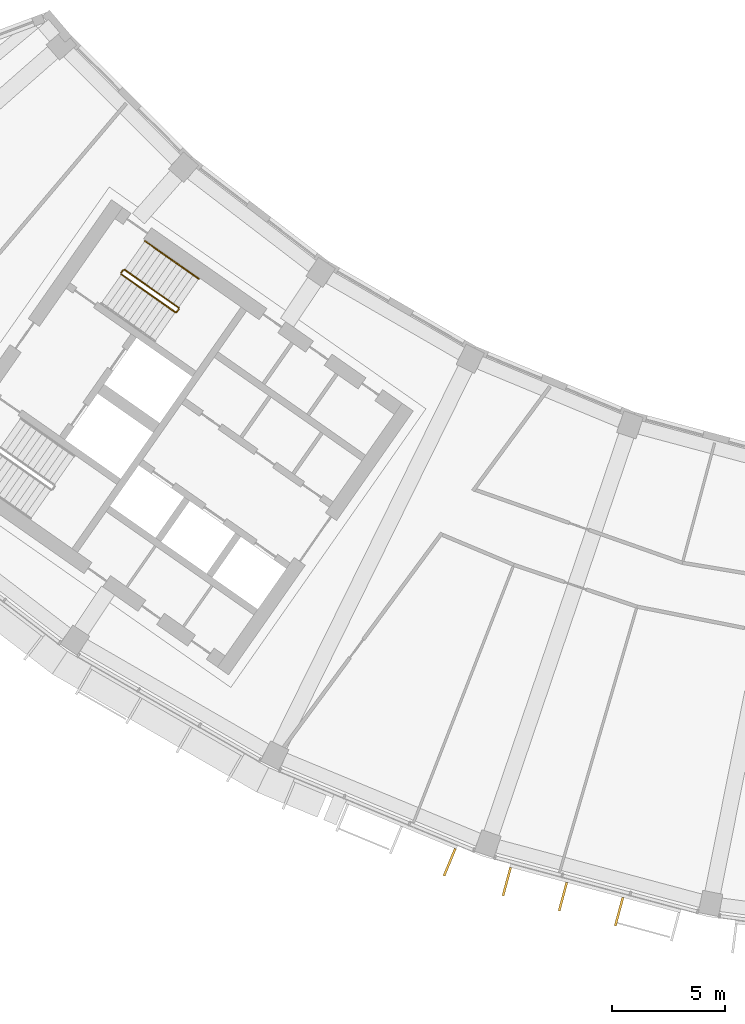
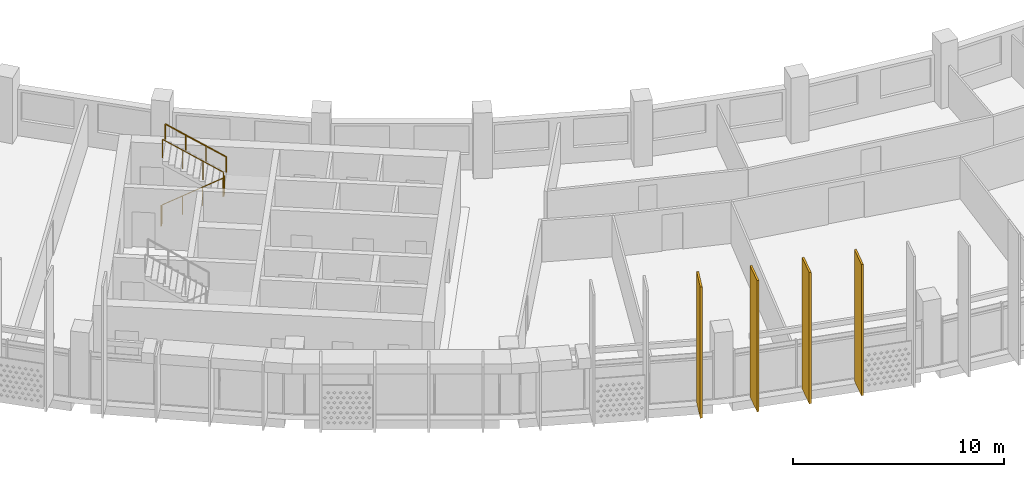
# One storey, part 24 of 28: 4 railings, 4 shading devices.
"""IFC4 building model written with IfcOpenShell, lengths in metres."""

import ifcopenshell
import ifcopenshell.guid

model = None  # the IFC model being written
_history = None  # IfcOwnerHistory: only IFC2X3 demands one
_inside = {}  # id of a spatial element -> (the spatial element, [elements in it])
_under = {}  # id of a project, library or spatial element -> (it, [spatial elements below it])
_declared = {}  # id of a project -> (the project, [libraries it declares])
_typed = {}  # id of a type object -> (the type object, [elements of that type])
_made_of = {}  # id of a material, layer set ... -> (it, [elements and type objects made of it])


def new_model(schema):
    """Start an empty IFC model of exactly this schema.

    Asked for "IFC4X3", IfcOpenShell would pick the latest addendum, in which some entities
    have other attributes; the version numbers below select the first issue.
    IFC2X3 requires an IfcOwnerHistory on every rooted entity: one is made here for all.
    """
    global model, _history
    if schema == "IFC4X3":
        model = ifcopenshell.file(schema_version=(4, 3, 0, 0))
    else:
        model = ifcopenshell.file(schema=schema)
    _inside.clear()
    _under.clear()
    _declared.clear()
    _typed.clear()
    _made_of.clear()
    _history = None
    if model.schema == "IFC2X3":
        org = make("IfcOrganization", Name="unknown")
        user = make(
            "IfcPersonAndOrganization",
            ThePerson=make("IfcPerson", FamilyName="unknown"),
            TheOrganization=org,
        )
        app = make(
            "IfcApplication",
            ApplicationDeveloper=org,
            Version="unknown",
            ApplicationFullName="unknown",
            ApplicationIdentifier="unknown",
        )
        _history = make(
            "IfcOwnerHistory",
            OwningUser=user,
            OwningApplication=app,
            ChangeAction="ADDED",
            CreationDate=0,
        )
    return model


def make(cls, **values):
    """One entity of the class cls with the attributes given. An attribute that is None is left unset."""
    return model.create_entity(
        cls, **{name: value for name, value in values.items() if value is not None}
    )


def rooted(cls, **values):
    """An entity with a GlobalId (a new one), such as an element, a storey or a relation."""
    return make(cls, GlobalId=ifcopenshell.guid.new(), OwnerHistory=_history, **values)


def si_unit(unit_type, name, prefix=None):
    """IfcSIUnit, for example si_unit("LENGTHUNIT", "METRE", prefix="MILLI")."""
    return make("IfcSIUnit", UnitType=unit_type, Prefix=prefix, Name=name)


def assignment(units):
    """IfcUnitAssignment: the units of a project."""
    return None if units is None else make("IfcUnitAssignment", Units=units)


def point(xyz):
    """IfcCartesianPoint."""
    return None if xyz is None else make("IfcCartesianPoint", Coordinates=xyz)


def direction(xyz):
    """IfcDirection."""
    return None if xyz is None else make("IfcDirection", DirectionRatios=xyz)


def frame(location, z_axis=None, x_axis=None):
    """IfcAxis2Placement3D, a coordinate frame: its origin and axes. An axis left out is left unset."""
    return make(
        "IfcAxis2Placement3D",
        Location=point(location),
        Axis=direction(z_axis),
        RefDirection=direction(x_axis),
    )


def frame_2d(location, x_axis=None):
    """IfcAxis2Placement2D, a coordinate frame in the plane: its origin and x axis."""
    return make(
        "IfcAxis2Placement2D", Location=point(location), RefDirection=direction(x_axis)
    )


def origin():
    """The frame at (0, 0, 0) with its axes left unset."""
    return frame((0.0, 0.0, 0.0))


def origin_2d():
    """The frame at (0, 0) in the plane with its x axis left unset."""
    return frame_2d((0.0, 0.0))


def place(relative_to, where):
    """IfcLocalPlacement: puts the frame where relative to a parent placement (None: the world)."""
    return make(
        "IfcLocalPlacement", PlacementRelTo=relative_to, RelativePlacement=where
    )


def context(
    kind, dimensions, precision=None, world=None, true_north=None, identifier=None
):
    """IfcGeometricRepresentationContext, for example the 3D "Model" context."""
    return make(
        "IfcGeometricRepresentationContext",
        ContextIdentifier=identifier,
        ContextType=kind,
        CoordinateSpaceDimension=dimensions,
        Precision=precision,
        WorldCoordinateSystem=world,
        TrueNorth=true_north,
    )


def subcontext(parent, identifier, kind, view, scale=None):
    """IfcGeometricRepresentationSubContext, for example "Body" below "Model"."""
    return make(
        "IfcGeometricRepresentationSubContext",
        ContextIdentifier=identifier,
        ContextType=kind,
        ParentContext=parent,
        TargetScale=scale,
        TargetView=view,
    )


def project(units=None, contexts=None):
    """IfcProject with its units and contexts."""
    return rooted(
        "IfcProject",
        Name="project",
        RepresentationContexts=contexts,
        UnitsInContext=assignment(units),
    )


def spatial(cls, under=None, at=None, **own):
    """A site, building, storey or space (cls), placed at a placement, below another one or the project."""
    s = rooted(cls, ObjectPlacement=at, **own)
    if under is not None:
        _under.setdefault(under.id(), (under, []))[1].append(s)
    return s


def profile(cls, at=None, kind="AREA", **sizes):
    """A parametric profile (cls). Its sizes go by their IFC names, for example OverallWidth=200.0."""
    return make(cls, ProfileType=kind, Position=at, **sizes)


def rectangle(**sizes):
    """IfcRectangleProfileDef."""
    return profile("IfcRectangleProfileDef", **sizes)


def circle(**sizes):
    """IfcCircleProfileDef."""
    return profile("IfcCircleProfileDef", **sizes)


def extrude(swept, where, along, depth):
    """IfcExtrudedAreaSolid: the profile swept, set in the frame where, extruded along a direction by depth."""
    return make(
        "IfcExtrudedAreaSolid",
        SweptArea=swept,
        Position=where,
        ExtrudedDirection=direction(along),
        Depth=depth,
    )


def shape(context_of_items, identifier, shape_type, items):
    """IfcShapeRepresentation: the items that make up one representation, for example the "Body"."""
    return make(
        "IfcShapeRepresentation",
        ContextOfItems=context_of_items,
        RepresentationIdentifier=identifier,
        RepresentationType=shape_type,
        Items=items,
    )


def material(Name=None, Category=None):
    """IfcMaterial."""
    return make("IfcMaterial", Name=Name, Category=Category)


def material_profile(
    of_material, cross_section, Name=None, Category=None, Priority=None
):
    """IfcMaterialProfile: a cross section and its material."""
    return make(
        "IfcMaterialProfile",
        Name=Name,
        Material=of_material,
        Profile=cross_section,
        Priority=Priority,
        Category=Category,
    )


def profile_set(profiles, Name=None, composite=None):
    """IfcMaterialProfileSet."""
    return make(
        "IfcMaterialProfileSet",
        Name=Name,
        MaterialProfiles=profiles,
        CompositeProfile=composite,
    )


def made_of(thing, what):
    """Note that an element or type object is made of a material, layer set ...; save() writes the relation."""
    if what is not None:
        _made_of.setdefault(what.id(), (what, []))[1].append(thing)
    return thing


def type_object(cls, material=None, **own):
    """A type object (cls), such as IfcWallType, which elements share."""
    return made_of(rooted(cls, **own), material)


def element(
    cls,
    number,
    at=None,
    inside=None,
    cuts=None,
    type_object=None,
    material=None,
    context=None,
    identifier="Body",
    shape_type=None,
    held_by="IfcProductDefinitionShape",
    body=None,
    shapes=None,
    **own,
):
    """One element of the class cls, such as IfcWall. Its Tag is "e" and its number.

    at: its placement. inside: the storey or other place that contains it. cuts: it is an
    opening in that element (IfcRelVoidsElement). A single representation is given by context,
    identifier, shape_type and body (its items); several are given by shapes. held_by: the class
    of the entity that holds the representations. save() writes the other relations.
    """
    e = rooted(cls, Tag="e%d" % number, ObjectPlacement=at, **own)
    if body is not None:
        shapes = [shape(context, identifier, shape_type, body)]
    if shapes is not None:
        e.Representation = make(held_by, Representations=shapes)
    if inside is not None:
        _inside.setdefault(inside.id(), (inside, []))[1].append(e)
    if cuts is not None:
        rooted(
            "IfcRelVoidsElement", RelatingBuildingElement=cuts, RelatedOpeningElement=e
        )
    if type_object is not None:
        _typed.setdefault(type_object.id(), (type_object, []))[1].append(e)
    return made_of(e, material)


def aggregate(whole, parts):
    """IfcRelAggregates: a whole, such as a stair, and the parts it consists of."""
    return rooted("IfcRelAggregates", RelatingObject=whole, RelatedObjects=parts)


def save(model, path):
    """Write the relations noted so far, then the file.

    IfcRelAggregates (storeys below a building ...), IfcRelContainedInSpatialStructure (elements
    in a storey), IfcRelDefinesByType, IfcRelAssociatesMaterial and IfcRelDeclares: one each for
    every whole, place, type object, material and project.
    """
    for whole, parts in _under.values():
        aggregate(whole, parts)
    for where, things in _inside.values():
        rooted(
            "IfcRelContainedInSpatialStructure",
            RelatedElements=things,
            RelatingStructure=where,
        )
    for kind, things in _typed.values():
        rooted("IfcRelDefinesByType", RelatedObjects=things, RelatingType=kind)
    for what, things in _made_of.values():
        rooted("IfcRelAssociatesMaterial", RelatedObjects=things, RelatingMaterial=what)
    for by, libraries in _declared.values():
        rooted("IfcRelDeclares", RelatingContext=by, RelatedDefinitions=libraries)
    model.write(path)


model = new_model("IFC4")

# Units and contexts
model_context = context("Model", 3, precision=1e-05, world=origin(), true_north=direction((0.0, 1.0)))
body_context = subcontext(model_context, "Body", "Model", "MODEL_VIEW")
ifc_project = project(units=[si_unit("LENGTHUNIT", "METRE"), si_unit("AREAUNIT", "SQUARE_METRE"), si_unit("VOLUMEUNIT", "CUBIC_METRE"), si_unit("PLANEANGLEUNIT", "RADIAN"), si_unit("MASSUNIT", "GRAM", prefix="KILO")], contexts=[model_context])

# Site, building, storey
site_placement = place(None, origin())
site = spatial("IfcSite", under=ifc_project, at=site_placement, CompositionType="ELEMENT")
building_placement = place(site_placement, origin())
building = spatial("IfcBuilding", under=site, at=building_placement, Name="Qamariyya Broadcast Tower", CompositionType="ELEMENT")
storey_placement = place(building_placement, frame((0.0, 0.0, 265.699951171875)))
storey = spatial("IfcBuildingStorey", under=building, at=storey_placement, Name="L64", CompositionType="ELEMENT", Elevation=265.699951171875)

# Railings
ifc_material_1 = material(Name="Painted steel", Category="steel")
railing_type_1 = type_object("IfcRailingType", Name="Stair guard", PredefinedType="GUARDRAIL", material=ifc_material_1)
railing_1_placement = place(storey_placement, frame((-41.146728515625, -48.52490234375, 0.1728515625)))
element("IfcRailing", 1, at=railing_1_placement, inside=storey, type_object=railing_type_1, Name="L64 ST-W2 stair guard 1", PredefinedType="GUARDRAIL", context=body_context, shape_type="SweptSolid", body=[
    extrude(circle(Radius=0.02392578125, at=origin_2d()), frame((0.0, 0.0, 1.076171875), z_axis=(0.703770094002, -0.492783725636, 0.511734163933), x_axis=(0.573575343427, 0.819152809562, 0.0)), (0.0, 0.0, 1.0), 3.37548828125),
    extrude(circle(Radius=0.02392578125, at=origin_2d()), frame((2.37548828125, -1.663330078125, 2.80322265625), z_axis=(0.985059694769, 0.172213233351, 0.0), x_axis=(-0.172213233351, 0.985059694769, 0.0)), (0.0, 0.0, 1.0), 0.07080078125),
    extrude(circle(Radius=0.02392578125, at=origin_2d()), frame((2.4453125, -1.651123046875, 2.80322265625), z_axis=(0.572588637393, 0.819842821722, 0.0), x_axis=(-0.819842821722, 0.572588637393, 0.0)), (0.0, 0.0, 1.0), 0.150146484375),
    extrude(circle(Radius=0.02099609375, at=origin_2d()), origin(), (0.0, 0.0, 1.0), 1.052001953125),
    extrude(circle(Radius=0.02099609375, at=origin_2d()), frame((0.791748046875, -0.554443359375, 0.57568359375)), (0.0, 0.0, 1.0), 1.052001953125),
    extrude(circle(Radius=0.02099609375, at=origin_2d()), frame((1.583740234375, -1.10888671875, 1.151611328125)), (0.0, 0.0, 1.0), 1.052001953125),
    extrude(circle(Radius=0.02099609375, at=origin_2d()), frame((2.37548828125, -1.663330078125, 1.727294921875)), (0.0, 0.0, 1.0), 1.052001953125),
    extrude(circle(Radius=0.02099609375, at=origin_2d()), frame((2.4453125, -1.651123046875, 1.727294921875)), (0.0, 0.0, 1.0), 1.052001953125),
    extrude(circle(Radius=0.02099609375, at=origin_2d()), frame((2.53125, -1.528076171875, 1.727294921875)), (0.0, 0.0, 1.0), 1.052001953125),
])
railing_2_placement = place(storey_placement, frame((-38.627685546875, -49.9833984375, 2.07275390625)))
element("IfcRailing", 2, at=railing_2_placement, inside=storey, type_object=railing_type_1, Name="L64 ST-W2 stair guard 2", PredefinedType="GUARDRAIL", context=body_context, shape_type="SweptSolid", body=[
    extrude(circle(Radius=0.02392578125, at=origin_2d()), frame((0.0, 0.0, 1.076171875), z_axis=(-0.703770094002, 0.492783725636, 0.511734163933), x_axis=(-0.573575343427, -0.819152809562, 0.0)), (0.0, 0.0, 1.0), 3.37548828125),
    extrude(circle(Radius=0.02099609375, at=origin_2d()), origin(), (0.0, 0.0, 1.0), 1.052001953125),
    extrude(circle(Radius=0.02099609375, at=origin_2d()), frame((-0.791748046875, 0.554443359375, 0.57568359375)), (0.0, 0.0, 1.0), 1.052001953125),
    extrude(circle(Radius=0.02099609375, at=origin_2d()), frame((-1.583740234375, 1.10888671875, 1.151611328125)), (0.0, 0.0, 1.0), 1.052001953125),
    extrude(circle(Radius=0.02099609375, at=origin_2d()), frame((-2.37548828125, 1.663330078125, 1.727294921875)), (0.0, 0.0, 1.0), 1.052001953125),
])
railing_3_placement = place(storey_placement, frame((-41.158935546875, -48.455322265625, 0.0)))
element("IfcRailing", 3, at=railing_3_placement, inside=storey, type_object=railing_type_1, Name="L64 ST-W2 stair guard 3", PredefinedType="GUARDRAIL", context=body_context, shape_type="SweptSolid", body=[
    extrude(circle(Radius=0.02392578125, at=origin_2d()), frame((0.0, 0.0, 1.076171875), z_axis=(0.572588637393, 0.819842821722, 0.0), x_axis=(-0.819842821722, 0.572588637393, 0.0)), (0.0, 0.0, 1.0), 0.150146484375),
    extrude(circle(Radius=0.02099609375, at=origin_2d()), origin(), (0.0, 0.0, 1.0), 1.052001953125),
    extrude(circle(Radius=0.02099609375, at=origin_2d()), frame((0.0859375, 0.123046875, 0.0)), (0.0, 0.0, 1.0), 1.052001953125),
])
ifc_material_2 = material(Name="Stainless steel", Category="steel")
railing_type_2 = type_object("IfcRailingType", Name="Stair handrail", PredefinedType="HANDRAIL", material=ifc_material_2)
railing_4_placement = place(storey_placement, frame((-37.73876953125, -48.7138671875, 2.07275390625)))
element("IfcRailing", 4, at=railing_4_placement, inside=storey, type_object=railing_type_2, Name="L64 ST-W2 stair handrail 2", PredefinedType="HANDRAIL", context=body_context, shape_type="SweptSolid", body=[
    extrude(circle(Radius=0.02392578125, at=origin_2d()), frame((0.0, 0.0, 0.8759765625), z_axis=(-0.703745009021, 0.492838488332, 0.511715923826), x_axis=(-0.573631830683, -0.819113253969, 0.0)), (0.0, 0.0, 1.0), 3.37548828125),
    extrude(circle(Radius=0.02099609375, at=origin_2d()), origin(), (0.0, 0.0, 1.0), 0.851806640625),
    extrude(circle(Radius=0.02099609375, at=origin_2d()), frame((-0.791748046875, 0.554443359375, 0.57568359375)), (0.0, 0.0, 1.0), 0.851806640625),
    extrude(circle(Radius=0.02099609375, at=origin_2d()), frame((-1.583740234375, 1.109130859375, 1.151611328125)), (0.0, 0.0, 1.0), 0.851806640625),
    extrude(circle(Radius=0.02099609375, at=origin_2d()), frame((-2.37548828125, 1.66357421875, 1.727294921875)), (0.0, 0.0, 1.0), 0.851806640625),
])

# Shading devices
ifc_material_3 = material(Name="Glazed terracotta", Category="masonry")
ifc_material_profile = material_profile(ifc_material_3, rectangle(XDim=1.300048828125, YDim=0.10009765625, at=origin_2d()))
ifc_profile_set = profile_set([ifc_material_profile], Name="Glazed terracotta")
shading_device_type = type_object("IfcShadingDeviceType", Name="Terracotta fin 100 x 1300", PredefinedType="USERDEFINED", material=ifc_profile_set)
for number, where, z_axis, x_axis, name in (
    (5, (-26.674560546875, -74.44091796875, 0.0), (0.0, 0.0, 1.0), (-0.382683432365, -0.923879532511, 0.0), "e-fin-L64-04-3"),
    (6, (-24.154296875, -75.29638671875, 0.0), (0.0, 0.0, 1.0), (-0.258819045103, -0.965925826289, 0.0), "e-fin-L64-05-0"),
    (7, (-21.679443359375, -75.95947265625, 0.0), (0.0, 0.0, 1.0), (-0.258819045103, -0.965925826289, 0.0), "e-fin-L64-05-1"),
    (8, (-19.20458984375, -76.62255859375, 0.0), (0.0, 0.0, 1.0), (-0.258819045103, -0.965925826289, 0.0), "e-fin-L64-05-2"),
):
    element("IfcShadingDevice", number, at=place(storey_placement, frame(where, z_axis=z_axis, x_axis=x_axis)), inside=storey, type_object=shading_device_type, Name=name, ObjectType="FIN", PredefinedType="USERDEFINED", context=body_context, shape_type="SweptSolid", body=[
        extrude(rectangle(XDim=1.300048828125, YDim=0.10009765625, at=origin_2d()), origin(), (0.0, 0.0, 1.0), 7.60009765625),
    ])

save(model, "model.ifc")
